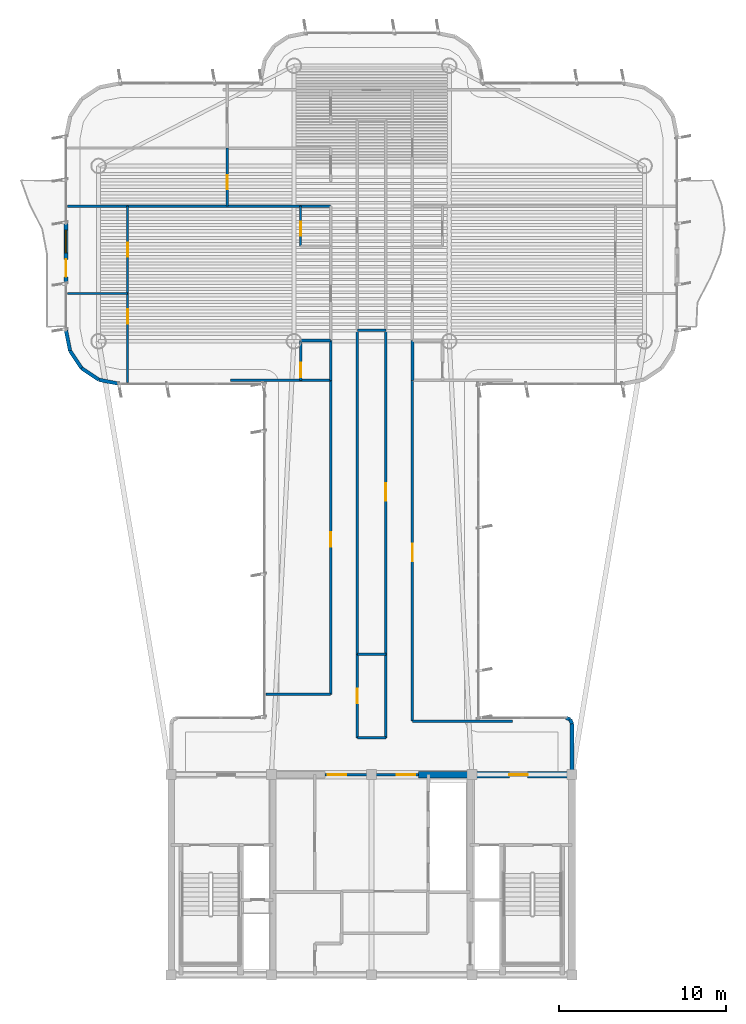
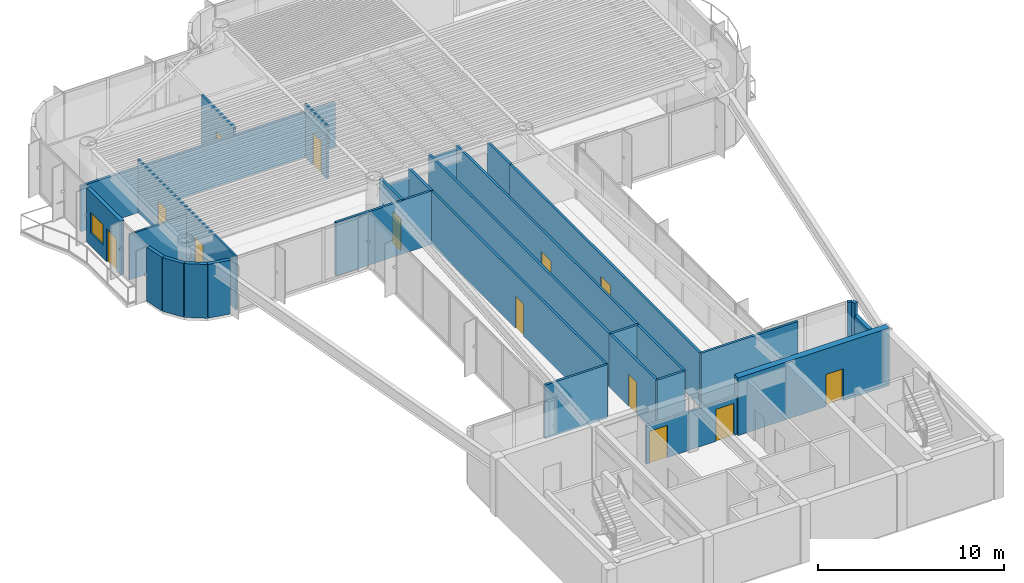
# One storey, part 11 of 15: 32 walls, 13 doors, 1 window, 14 openings.
"""IFC4 building model written with IfcOpenShell, lengths in metres."""

from ifc_helpers import new_model, si_unit, direction, frame, frame_2d, origin, origin_2d, place, context, subcontext, project, spatial, rectangle, extrude, source, transform, mapped, material, layer, layer_set, type_object, element, fill, save


model = new_model("IFC4")

# Units and contexts
model_context = context("Model", 3, precision=1e-05, world=origin(), true_north=direction((0.0, 1.0)))
body_context = subcontext(model_context, "Body", "Model", "MODEL_VIEW")
ifc_project = project(units=[si_unit("LENGTHUNIT", "METRE"), si_unit("AREAUNIT", "SQUARE_METRE"), si_unit("VOLUMEUNIT", "CUBIC_METRE"), si_unit("PLANEANGLEUNIT", "RADIAN"), si_unit("MASSUNIT", "GRAM", prefix="KILO")], contexts=[model_context])

# Site, building, storey
site_placement = place(None, origin())
site = spatial("IfcSite", under=ifc_project, at=site_placement, CompositionType="ELEMENT")
building_placement = place(site_placement, origin())
building = spatial("IfcBuilding", under=site, at=building_placement, Name="Brelvock Crest Care Tower", CompositionType="ELEMENT")
storey_placement = place(building_placement, frame((0.0, 0.0, 275.93994140625)))
storey = spatial("IfcBuildingStorey", under=building, at=storey_placement, Name="L70", CompositionType="ELEMENT", Elevation=275.93994140625)

# Wall, opening, door
ifc_material_1 = material(Name="Concrete S65 (65 MPa)", Category="concrete")
ifc_layer_1 = layer(ifc_material_1, 0.39990234375, Name="WL-CS4")
ifc_layer_set_1 = layer_set([ifc_layer_1], Name="Concrete S65 (65 MPa)")
wall_type_1 = type_object("IfcWallType", Name="WL-CS4", PredefinedType="SHEAR", material=ifc_layer_set_1)
wall_1_placement = place(storey_placement, frame((38.800048828125, 18.0, 0.0), z_axis=(0.0, 0.0, 1.0), x_axis=(1.0, 0.0, 0.0)))
wall_1 = element("IfcWall", 1, at=wall_1_placement, inside=storey, type_object=wall_type_1, Name="L70 Core North-East Shear Wall", PredefinedType="SHEAR", context=body_context, shape_type="SweptSolid", body=[
    extrude(rectangle(XDim=9.39990234375, YDim=0.39990234375, at=frame_2d((4.699951171875, 0.0))), origin(), (0.0, 0.0, 1.0), 3.780029296875),
])
opening_1_placement = place(wall_1_placement, frame((5.449951171875, 0.0, 0.0)))
opening_1 = element("IfcOpeningElement", 2, at=opening_1_placement, cuts=wall_1, Name="Opening FD-1", PredefinedType="OPENING", context=body_context, shape_type="SweptSolid", body=[
    extrude(rectangle(XDim=1.10009765625, YDim=2.10009765625, at=origin_2d()), frame((0.550048828125, 0.2099609375, 1.050048828125), z_axis=(0.0, -1.0, 0.0), x_axis=(1.0, 0.0, 0.0)), (0.0, 0.0, 1.0), 0.419921875),
])
ifc_material_2 = material(Name="Steel Grade 350", Category="steel")
door_type_1 = type_object("IfcDoorType", Name="DR-FFL1", OperationType="NOTDEFINED", PredefinedType="DOOR", material=ifc_material_2)
shared_shape_1 = source(origin(), body_context, "Body", "SweptSolid", [
    extrude(rectangle(XDim=1.10009765625, YDim=2.10009765625, at=origin_2d()), frame((0.550048828125, 0.02490234375, 1.050048828125), z_axis=(0.0, -1.0, 0.0), x_axis=(1.0, 0.0, 0.0)), (0.0, 0.0, 1.0), 0.050048828125),
])
door_1_placement = place(opening_1_placement, origin())
door_1 = element("IfcDoor", 3, at=door_1_placement, inside=storey, type_object=door_type_1, Name="L70 Firefighting Lobby FFL-2 Exit Door", OperationType="SINGLE_SWING_RIGHT", OverallHeight=2.10009765625, OverallWidth=1.10009765625, PredefinedType="DOOR", context=body_context, shape_type="MappedRepresentation", body=[
    mapped(shared_shape_1, transform((0.0, 0.0, 0.0), x_axis=(1.0, 0.0, 0.0), y_axis=(0.0, 1.0, 0.0), z_axis=(0.0, 0.0, 1.0), scale=1.0)),
])
fill(opening_1, door_1)

# Wall, openings, door, window
ifc_material_3 = material(Name="Precast concrete N40 (40 MPa)", Category="concrete")
ifc_layer_2 = layer(ifc_material_3, 0.239990234375, Name="WL-EX1")
ifc_layer_set_2 = layer_set([ifc_layer_2], Name="Precast concrete N40 (40 MPa)")
wall_type_2 = type_object("IfcWallType", Name="WL-EX1", PredefinedType="SOLIDWALL", material=ifc_layer_set_2)
wall_2_placement = place(storey_placement, frame((17.699951171875, 47.39990234375, 0.0), z_axis=(0.0, 0.0, 1.0), x_axis=(0.0, 1.0, 0.0)))
wall_2 = element("IfcWall", 4, at=wall_2_placement, inside=storey, type_object=wall_type_2, Name="L70 Exterior Spandrel Wall WL-BAL-L70-W", PredefinedType="SOLIDWALL", context=body_context, shape_type="SweptSolid", body=[
    extrude(rectangle(XDim=3.60009765625, YDim=0.239990234375, at=frame_2d((1.800048828125, 0.0))), origin(), (0.0, 0.0, 1.0), 3.530029296875),
])
opening_2_placement = place(wall_2_placement, frame((0.39990234375, 0.0, 0.0)))
opening_2 = element("IfcOpeningElement", 5, at=opening_2_placement, cuts=wall_2, Name="Opening BD-1", PredefinedType="OPENING", context=body_context, shape_type="SweptSolid", body=[
    extrude(rectangle(XDim=1.050048828125, YDim=2.14990234375, at=origin_2d()), frame((0.52490234375, 0.1298828125, 1.074951171875), z_axis=(0.0, -1.0, 0.0), x_axis=(1.0, 0.0, 0.0)), (0.0, 0.0, 1.0), 0.260009765625),
])
opening_3_placement = place(wall_2_placement, frame((1.85009765625, 0.0, 0.85009765625)))
opening_3 = element("IfcOpeningElement", 6, at=opening_3_placement, cuts=wall_2, Name="Opening W-01", PredefinedType="OPENING", context=body_context, shape_type="SweptSolid", body=[
    extrude(rectangle(XDim=1.35009765625, YDim=1.35009765625, at=origin_2d()), frame((0.675048828125, 0.1298828125, 0.675048828125), z_axis=(0.0, -1.0, 0.0), x_axis=(1.0, 0.0, 0.0)), (0.0, 0.0, 1.0), 0.260009765625),
])
ifc_material_4 = material(Name="Dark Glass Double Glazed Low-E", Category="glass")
door_type_2 = type_object("IfcDoorType", Name="DR-BAL1", OperationType="NOTDEFINED", PredefinedType="DOOR", material=ifc_material_4)
shared_shape_2 = source(origin(), body_context, "Body", "SweptSolid", [
    extrude(rectangle(XDim=1.050048828125, YDim=2.14990234375, at=origin_2d()), frame((0.52490234375, 0.02490234375, 1.074951171875), z_axis=(0.0, -1.0, 0.0), x_axis=(1.0, 0.0, 0.0)), (0.0, 0.0, 1.0), 0.050048828125),
])
door_2_placement = place(opening_2_placement, origin())
door_2 = element("IfcDoor", 7, at=door_2_placement, inside=storey, type_object=door_type_2, Name="L70 W Wave Balcony Glazed Door", OperationType="SINGLE_SWING_LEFT", OverallHeight=2.14990234375, OverallWidth=1.050048828125, PredefinedType="DOOR", context=body_context, shape_type="MappedRepresentation", body=[
    mapped(shared_shape_2, transform((0.0, 0.0, 0.0), x_axis=(1.0, 0.0, 0.0), y_axis=(0.0, 1.0, 0.0), z_axis=(0.0, 0.0, 1.0), scale=1.0)),
])
fill(opening_2, door_2)
window_type = type_object("IfcWindowType", Name="WN-EX1", PartitioningType="SINGLE_PANEL", PredefinedType="WINDOW", material=ifc_material_4)
shared_shape_3 = source(origin(), body_context, "Body", "SweptSolid", [
    extrude(rectangle(XDim=1.35009765625, YDim=1.35009765625, at=origin_2d()), frame((0.675048828125, 0.030029296875, 0.675048828125), z_axis=(0.0, -1.0, 0.0), x_axis=(1.0, 0.0, 0.0)), (0.0, 0.0, 1.0), 0.06005859375),
])
window_placement = place(opening_3_placement, origin())
window = element("IfcWindow", 8, at=window_placement, inside=storey, type_object=window_type, Name="L70 W Suite Casement Window", OverallHeight=1.35009765625, OverallWidth=1.35009765625, PartitioningType="SINGLE_PANEL", PredefinedType="WINDOW", context=body_context, shape_type="MappedRepresentation", body=[
    mapped(shared_shape_3, transform((0.0, 0.0, 0.0), x_axis=(1.0, 0.0, 0.0), y_axis=(0.0, 1.0, 0.0), z_axis=(0.0, 0.0, 1.0), scale=1.0)),
])
fill(opening_3, window)

# Walls
ifc_layer_3 = layer(ifc_material_3, 0.215087890625, Name="WL-EX2")
ifc_layer_set_3 = layer_set([ifc_layer_3], Name="Precast concrete N40 (40 MPa)")
wall_type_3 = type_object("IfcWallType", Name="WL-EX2", PredefinedType="SOLIDWALL", material=ifc_layer_set_3)
wall_3_placement = place(storey_placement, frame((47.8974609375, 21.297607421875, 0.0), z_axis=(0.0, 0.0, 1.0), x_axis=(0.382673670509, -0.923883575944, 0.0)))
element("IfcWall", 9, at=wall_3_placement, inside=storey, type_object=wall_type_3, Name="L70 Rounded Corner Wall 00", PredefinedType="SOLIDWALL", context=body_context, shape_type="SweptSolid", body=[
    extrude(rectangle(XDim=0.26806640625, YDim=0.215087890625, at=frame_2d((0.134033203125, 0.0))), origin(), (0.0, 0.0, 1.0), 3.530029296875),
])
wall_4_placement = place(storey_placement, frame((48.0, 21.050048828125, 0.0), z_axis=(0.0, 0.0, 1.0), x_axis=(0.0, -1.0, 0.0)))
element("IfcWall", 10, at=wall_4_placement, inside=storey, type_object=wall_type_3, Name="L70 Rounded Corner Wall 01", PredefinedType="SOLIDWALL", context=body_context, shape_type="SweptSolid", body=[
    extrude(rectangle(XDim=2.77001953125, YDim=0.215087890625, at=frame_2d((1.385009765625, 0.0))), origin(), (0.0, 0.0, 1.0), 2.718017578125),
])
for number, where, z_axis, x_axis, name in (
    (11, (20.89990234375, 41.39990234375, 0.0), (0.0, 0.0, 1.0), (-0.980775717779, 0.195138390419, 0.0), "L70 Rounded Corner Wall 13"),
    (12, (19.67529296875, 41.6435546875, 0.0), (0.0, 0.0, 1.0), (-0.831387912822, 0.555692485475, 0.0), "L70 Rounded Corner Wall 14"),
    (13, (18.63720703125, 42.33740234375, 0.0), (0.0, 0.0, 1.0), (-0.555557312883, 0.831478245117, 0.0), "L70 Rounded Corner Wall 15"),
    (14, (17.943603515625, 43.37548828125, 0.0), (0.0, 0.0, 1.0), (-0.195138390419, 0.980775717779, 0.0), "L70 Rounded Corner Wall 16"),
):
    element("IfcWall", number, at=place(storey_placement, frame(where, z_axis=z_axis, x_axis=x_axis)), inside=storey, type_object=wall_type_3, Name=name, PredefinedType="SOLIDWALL", context=body_context, shape_type="SweptSolid", body=[
        extrude(rectangle(XDim=1.24853515625, YDim=0.215087890625, at=frame_2d((0.624267578125, 0.0))), origin(), (0.0, 0.0, 1.0), 3.530029296875),
    ])
wall_5_placement = place(storey_placement, frame((47.64990234375, 21.39990234375, 0.0), z_axis=(0.0, 0.0, 1.0), x_axis=(0.924205486139, -0.381895560841, 0.0)))
element("IfcWall", 15, at=wall_5_placement, inside=storey, type_object=wall_type_3, Name="L70 Rounded Corner Wall 47", PredefinedType="SOLIDWALL", context=body_context, shape_type="SweptSolid", body=[
    extrude(rectangle(XDim=0.267822265625, YDim=0.215087890625, at=frame_2d((0.1337890625, 0.0))), origin(), (0.0, 0.0, 1.0), 3.530029296875),
])

# Wall, openings, doors
ifc_material_5 = material(Name="Masonry Blockwork Acoustic Partition", Category="masonry")
ifc_layer_4 = layer(ifc_material_5, 0.14990234375, Name="WL-INT1")
ifc_layer_set_4 = layer_set([ifc_layer_4], Name="Masonry Blockwork Acoustic Partition")
wall_type_4 = type_object("IfcWallType", Name="WL-INT1", PredefinedType="PARTITIONING", material=ifc_layer_set_4)
wall_6_placement = place(storey_placement, frame((33.199951171875, 18.0, 0.0), z_axis=(0.0, 0.0, 1.0), x_axis=(1.0, 0.0, 0.0)))
wall_6 = element("IfcWall", 16, at=wall_6_placement, inside=storey, type_object=wall_type_4, Name="L70 Interior Wall WL-CORE-NPORT-L70", PredefinedType="PARTITIONING", context=body_context, shape_type="SweptSolid", body=[
    extrude(rectangle(XDim=5.60009765625, YDim=0.14990234375, at=frame_2d((2.800048828125, 0.0))), origin(), (0.0, 0.0, 1.0), 2.51513671875),
])
opening_4_placement = place(wall_6_placement, frame((0.18994140625, 0.0, 0.0)))
opening_4 = element("IfcOpeningElement", 17, at=opening_4_placement, cuts=wall_6, Name="Opening FD-1", PredefinedType="OPENING", context=body_context, shape_type="SweptSolid", body=[
    extrude(rectangle(XDim=1.10009765625, YDim=2.10009765625, at=origin_2d()), frame((0.550048828125, 0.0849609375, 1.050048828125), z_axis=(0.0, -1.0, 0.0), x_axis=(1.0, 0.0, 0.0)), (0.0, 0.0, 1.0), 0.169921875),
])
opening_5_placement = place(wall_6_placement, frame((4.31005859375, 0.0, 0.0)))
opening_5 = element("IfcOpeningElement", 18, at=opening_5_placement, cuts=wall_6, Name="Opening FD-1", PredefinedType="OPENING", context=body_context, shape_type="SweptSolid", body=[
    extrude(rectangle(XDim=1.10009765625, YDim=2.10009765625, at=origin_2d()), frame((0.550048828125, 0.0849609375, 1.050048828125), z_axis=(0.0, -1.0, 0.0), x_axis=(1.0, 0.0, 0.0)), (0.0, 0.0, 1.0), 0.169921875),
])
door_3_placement = place(opening_4_placement, origin())
door_3 = element("IfcDoor", 19, at=door_3_placement, inside=storey, type_object=door_type_1, Name="L70 Lift Lobby North Smoke Door West", OperationType="SINGLE_SWING_LEFT", OverallHeight=2.10009765625, OverallWidth=1.10009765625, PredefinedType="DOOR", context=body_context, shape_type="MappedRepresentation", body=[
    mapped(shared_shape_1, transform((0.0, 0.0, 0.0), x_axis=(1.0, 0.0, 0.0), y_axis=(0.0, 1.0, 0.0), z_axis=(0.0, 0.0, 1.0), scale=1.0)),
])
fill(opening_4, door_3)
door_4_placement = place(opening_5_placement, origin())
door_4 = element("IfcDoor", 20, at=door_4_placement, inside=storey, type_object=door_type_1, Name="L70 Lift Lobby North Smoke Door East", OperationType="SINGLE_SWING_RIGHT", OverallHeight=2.10009765625, OverallWidth=1.10009765625, PredefinedType="DOOR", context=body_context, shape_type="MappedRepresentation", body=[
    mapped(shared_shape_1, transform((0.0, 0.0, 0.0), x_axis=(1.0, 0.0, 0.0), y_axis=(0.0, 1.0, 0.0), z_axis=(0.0, 0.0, 1.0), scale=1.0)),
])
fill(opening_5, door_4)

# Walls
wall_7_placement = place(storey_placement, frame((38.449951171875, 21.199951171875, 0.0), z_axis=(0.0, 0.0, 1.0), x_axis=(1.0, 0.0, 0.0)))
element("IfcWall", 21, at=wall_7_placement, inside=storey, type_object=wall_type_4, Name="L70 Interior Wall WL-BX-L70-THRE-S", PredefinedType="PARTITIONING", context=body_context, shape_type="SweptSolid", body=[
    extrude(rectangle(XDim=5.9931640625, YDim=0.14990234375, at=frame_2d((2.99658203125, 0.0))), origin(), (0.0, 0.0, 1.0), 3.5),
])
wall_8_placement = place(storey_placement, frame((29.678466796875, 22.800048828125, 0.0), z_axis=(0.0, 0.0, 1.0), x_axis=(1.0, 0.0, 0.0)))
element("IfcWall", 22, at=wall_8_placement, inside=storey, type_object=wall_type_4, Name="L70 Interior Wall WL-BX-L70-THRW-S", PredefinedType="PARTITIONING", context=body_context, shape_type="SweptSolid", body=[
    extrude(rectangle(XDim=3.87158203125, YDim=0.14990234375, at=frame_2d((1.935791015625, 0.0))), origin(), (0.0, 0.0, 1.0), 3.5),
])
wall_9_placement = place(storey_placement, frame((27.557861328125, 41.60009765625, 0.0), z_axis=(0.0, 0.0, 1.0), x_axis=(1.0, 0.0, 0.0)))
element("IfcWall", 23, at=wall_9_placement, inside=storey, type_object=wall_type_4, Name="L70 Interior Wall WL-BX-L70-FL-WF1-S2", PredefinedType="PARTITIONING", context=body_context, shape_type="SweptSolid", body=[
    extrude(rectangle(XDim=5.9921875, YDim=0.14990234375, at=frame_2d((2.99609375, 0.0))), origin(), (0.0, 0.0, 1.0), 3.5),
])
wall_10_placement = place(storey_placement, frame((35.14990234375, 44.6201171875, 0.0), z_axis=(0.0, 0.0, 1.0), x_axis=(1.0, 0.0, 0.0)))
element("IfcWall", 24, at=wall_10_placement, inside=storey, type_object=wall_type_4, Name="L70 Interior Wall WL-BX-L70-ISKT-S", PredefinedType="PARTITIONING", context=body_context, shape_type="SweptSolid", body=[
    extrude(rectangle(XDim=1.7001953125, YDim=0.14990234375, at=frame_2d((0.85009765625, 0.0))), origin(), (0.0, 0.0, 1.0), 3.259033203125),
])
wall_11_placement = place(storey_placement, frame((17.780029296875, 52.0400390625, 0.0), z_axis=(0.0, 0.0, 1.0), x_axis=(1.0, 0.0, 0.0)))
element("IfcWall", 25, at=wall_11_placement, inside=storey, type_object=wall_type_4, Name="L70 Interior Wall WL-BX-L70-FL-WF1-N", PredefinedType="PARTITIONING", context=body_context, shape_type="SweptSolid", body=[
    extrude(rectangle(XDim=15.77001953125, YDim=0.14990234375, at=frame_2d((7.885009765625, 0.0))), origin(), (0.0, 0.0, 1.0), 2.982177734375),
])

# Wall, opening, door
wall_12_placement = place(storey_placement, frame((27.35009765625, 52.0400390625, 0.0), z_axis=(0.0, 0.0, 1.0), x_axis=(0.0, 1.0, 0.0)))
wall_12 = element("IfcWall", 26, at=wall_12_placement, inside=storey, type_object=wall_type_4, Name="L70 Interior Wall WL-RM-L70-WFC2AS", PredefinedType="PARTITIONING", context=body_context, shape_type="SweptSolid", body=[
    extrude(rectangle(XDim=3.47998046875, YDim=0.14990234375, at=frame_2d((1.739990234375, 0.0))), origin(), (0.0, 0.0, 1.0), 3.5),
])
opening_6_placement = place(wall_12_placement, frame((1.0, 0.0, 0.0)))
opening_6 = element("IfcOpeningElement", 27, at=opening_6_placement, cuts=wall_12, Name="Opening ID-1", PredefinedType="OPENING", context=body_context, shape_type="SweptSolid", body=[
    extrude(rectangle(XDim=0.860107421875, YDim=2.10009765625, at=origin_2d()), frame((0.43017578125, 0.0849609375, 1.050048828125), z_axis=(0.0, -1.0, 0.0), x_axis=(1.0, 0.0, 0.0)), (0.0, 0.0, 1.0), 0.169921875),
])
ifc_material_6 = material(Name="Engineered Hardwood Timber", Category="wood")
door_type_3 = type_object("IfcDoorType", Name="DR-INT1", OperationType="NOTDEFINED", PredefinedType="DOOR", material=ifc_material_6)
shared_shape_4 = source(origin(), body_context, "Body", "SweptSolid", [
    extrude(rectangle(XDim=0.860107421875, YDim=2.10009765625, at=origin_2d()), frame((0.43017578125, 0.02490234375, 1.050048828125), z_axis=(0.0, -1.0, 0.0), x_axis=(1.0, 0.0, 0.0)), (0.0, 0.0, 1.0), 0.050048828125),
])
door_5_placement = place(opening_6_placement, origin())
door_5 = element("IfcDoor", 28, at=door_5_placement, inside=storey, type_object=door_type_3, Name="L70 Assisted Care Mobility Store Door WFC2AS", OperationType="SINGLE_SWING_LEFT", OverallHeight=2.10009765625, OverallWidth=0.860107421875, PredefinedType="DOOR", context=body_context, shape_type="MappedRepresentation", body=[
    mapped(shared_shape_4, transform((0.0, 0.0, 0.0), x_axis=(1.0, 0.0, 0.0), y_axis=(0.0, 1.0, 0.0), z_axis=(0.0, 0.0, 1.0), scale=1.0)),
])
fill(opening_6, door_5)

wall_13_placement = place(storey_placement, frame((33.550048828125, 22.800048828125, 0.0), z_axis=(0.0, 0.0, 1.0), x_axis=(0.0, 1.0, 0.0)))
wall_13 = element("IfcWall", 29, at=wall_13_placement, inside=storey, type_object=wall_type_4, Name="L70 Interior Wall WL-RM-L70-THRW", PredefinedType="PARTITIONING", context=body_context, shape_type="SweptSolid", body=[
    extrude(rectangle(XDim=18.800048828125, YDim=0.14990234375, at=frame_2d((9.39990234375, 0.0))), origin(), (0.0, 0.0, 1.0), 3.5),
])
opening_7_placement = place(wall_13_placement, frame((8.840087890625, 0.0, 0.0)))
opening_7 = element("IfcOpeningElement", 30, at=opening_7_placement, cuts=wall_13, Name="Opening ID-1", PredefinedType="OPENING", context=body_context, shape_type="SweptSolid", body=[
    extrude(rectangle(XDim=0.860107421875, YDim=2.10009765625, at=origin_2d()), frame((0.43017578125, 0.0849609375, 1.050048828125), z_axis=(0.0, -1.0, 0.0), x_axis=(1.0, 0.0, 0.0)), (0.0, 0.0, 1.0), 0.169921875),
])
door_6_placement = place(opening_7_placement, origin())
door_6 = element("IfcDoor", 31, at=door_6_placement, inside=storey, type_object=door_type_3, Name="L70 Quiet Family Consultation Room Door THRW", OperationType="SINGLE_SWING_LEFT", OverallHeight=2.10009765625, OverallWidth=0.860107421875, PredefinedType="DOOR", context=body_context, shape_type="MappedRepresentation", body=[
    mapped(shared_shape_4, transform((0.0, 0.0, 0.0), x_axis=(1.0, 0.0, 0.0), y_axis=(0.0, 1.0, 0.0), z_axis=(0.0, 0.0, 1.0), scale=1.0)),
])
fill(opening_7, door_6)

# Wall
wall_14_placement = place(storey_placement, frame((35.14990234375, 25.199951171875, 0.0), z_axis=(0.0, 0.0, 1.0), x_axis=(0.0, 1.0, 0.0)))
element("IfcWall", 32, at=wall_14_placement, inside=storey, type_object=wall_type_4, Name="L70 Interior Wall WL-BX-L70-ISNS-W", PredefinedType="PARTITIONING", context=body_context, shape_type="SweptSolid", body=[
    extrude(rectangle(XDim=19.420166015625, YDim=0.14990234375, at=frame_2d((9.7099609375, 0.0))), origin(), (0.0, 0.0, 1.0), 3.5),
])

# Wall, opening, door
wall_15_placement = place(storey_placement, frame((36.85009765625, 25.199951171875, 0.0), z_axis=(0.0, 0.0, 1.0), x_axis=(0.0, 1.0, 0.0)))
wall_15 = element("IfcWall", 33, at=wall_15_placement, inside=storey, type_object=wall_type_4, Name="L70 Interior Wall WL-RM-L70-ISNS", PredefinedType="PARTITIONING", context=body_context, shape_type="SweptSolid", body=[
    extrude(rectangle(XDim=19.420166015625, YDim=0.14990234375, at=frame_2d((9.7099609375, 0.0))), origin(), (0.0, 0.0, 1.0), 3.5),
])
opening_8_placement = place(wall_15_placement, frame((9.18505859375, 0.0, 0.0)))
opening_8 = element("IfcOpeningElement", 34, at=opening_8_placement, cuts=wall_15, Name="Opening CLD-1", PredefinedType="OPENING", context=body_context, shape_type="SweptSolid", body=[
    extrude(rectangle(XDim=1.050048828125, YDim=2.10009765625, at=origin_2d()), frame((0.52490234375, 0.0849609375, 1.050048828125), z_axis=(0.0, -1.0, 0.0), x_axis=(1.0, 0.0, 0.0)), (0.0, 0.0, 1.0), 0.169921875),
])
door_type_4 = type_object("IfcDoorType", Name="DR-CLN1", OperationType="NOTDEFINED", PredefinedType="DOOR", material=ifc_material_6)
shared_shape_5 = source(origin(), body_context, "Body", "SweptSolid", [
    extrude(rectangle(XDim=1.050048828125, YDim=2.10009765625, at=origin_2d()), frame((0.52490234375, 0.02490234375, 1.050048828125), z_axis=(0.0, -1.0, 0.0), x_axis=(1.0, 0.0, 0.0)), (0.0, 0.0, 1.0), 0.050048828125),
])
door_7_placement = place(opening_8_placement, origin())
door_7 = element("IfcDoor", 35, at=door_7_placement, inside=storey, type_object=door_type_4, Name="L70 Care Concierge and Triage Station Door ISNS", OperationType="SINGLE_SWING_LEFT", OverallHeight=2.10009765625, OverallWidth=1.050048828125, PredefinedType="DOOR", context=body_context, shape_type="MappedRepresentation", body=[
    mapped(shared_shape_5, transform((0.0, 0.0, 0.0), x_axis=(1.0, 0.0, 0.0), y_axis=(0.0, 1.0, 0.0), z_axis=(0.0, 0.0, 1.0), scale=1.0)),
])
fill(opening_8, door_7)

wall_16_placement = place(storey_placement, frame((38.449951171875, 21.199951171875, 0.0), z_axis=(0.0, 0.0, 1.0), x_axis=(0.0, 1.0, 0.0)))
wall_16 = element("IfcWall", 36, at=wall_16_placement, inside=storey, type_object=wall_type_4, Name="L70 Interior Wall WL-RM-L70-THRE", PredefinedType="PARTITIONING", context=body_context, shape_type="SweptSolid", body=[
    extrude(rectangle(XDim=20.400146484375, YDim=0.14990234375, at=frame_2d((10.2001953125, 0.0))), origin(), (0.0, 0.0, 1.0), 3.5),
])
opening_9_placement = place(wall_16_placement, frame((9.574951171875, 0.0, 0.0)))
opening_9 = element("IfcOpeningElement", 37, at=opening_9_placement, cuts=wall_16, Name="Opening CLD-1", PredefinedType="OPENING", context=body_context, shape_type="SweptSolid", body=[
    extrude(rectangle(XDim=1.050048828125, YDim=2.10009765625, at=origin_2d()), frame((0.52490234375, 0.0849609375, 1.050048828125), z_axis=(0.0, -1.0, 0.0), x_axis=(1.0, 0.0, 0.0)), (0.0, 0.0, 1.0), 0.169921875),
])
door_8_placement = place(opening_9_placement, origin())
door_8 = element("IfcDoor", 38, at=door_8_placement, inside=storey, type_object=door_type_4, Name="L70 Allied Health Therapy Room Door THRE", OperationType="SINGLE_SWING_LEFT", OverallHeight=2.10009765625, OverallWidth=1.050048828125, PredefinedType="DOOR", context=body_context, shape_type="MappedRepresentation", body=[
    mapped(shared_shape_5, transform((0.0, 0.0, 0.0), x_axis=(1.0, 0.0, 0.0), y_axis=(0.0, 1.0, 0.0), z_axis=(0.0, 0.0, 1.0), scale=1.0)),
])
fill(opening_9, door_8)

# Wall
ifc_material_7 = material(Name="Gypsum Plasterboard Partition", Category="gypsum")
ifc_layer_5 = layer(ifc_material_7, 0.1201171875, Name="WL-INT2")
ifc_layer_set_5 = layer_set([ifc_layer_5], Name="Gypsum Plasterboard Partition")
wall_type_5 = type_object("IfcWallType", Name="WL-INT2", PredefinedType="PARTITIONING", material=ifc_layer_set_5)
wall_17_placement = place(storey_placement, frame((17.780029296875, 46.820068359375, 0.0), z_axis=(0.0, 0.0, 1.0), x_axis=(1.0, 0.0, 0.0)))
element("IfcWall", 39, at=wall_17_placement, inside=storey, type_object=wall_type_5, Name="L70 Interior Wall WL-UBSP-L70-WF1", PredefinedType="PARTITIONING", context=body_context, shape_type="SweptSolid", body=[
    extrude(rectangle(XDim=3.60986328125, YDim=0.1201171875, at=frame_2d((1.804931640625, 0.0))), origin(), (0.0, 0.0, 1.0), 2.982177734375),
])

# Wall, opening, door
wall_18_placement = place(storey_placement, frame((21.389892578125, 41.47998046875, 0.0), z_axis=(0.0, 0.0, 1.0), x_axis=(0.0, 1.0, 0.0)))
wall_18 = element("IfcWall", 40, at=wall_18_placement, inside=storey, type_object=wall_type_5, Name="L70 Interior Wall WL-UBD1-L70-WF1", PredefinedType="PARTITIONING", context=body_context, shape_type="SweptSolid", body=[
    extrude(rectangle(XDim=5.340087890625, YDim=0.1201171875, at=frame_2d((2.669921875, 0.0))), origin(), (0.0, 0.0, 1.0), 3.5),
])
opening_10_placement = place(wall_18_placement, frame((3.52001953125, 0.0, 0.0)))
opening_10 = element("IfcOpeningElement", 41, at=opening_10_placement, cuts=wall_18, Name="Opening ID-1", PredefinedType="OPENING", context=body_context, shape_type="SweptSolid", body=[
    extrude(rectangle(XDim=0.860107421875, YDim=2.10009765625, at=origin_2d()), frame((0.43017578125, 0.070068359375, 1.050048828125), z_axis=(0.0, -1.0, 0.0), x_axis=(1.0, 0.0, 0.0)), (0.0, 0.0, 1.0), 0.14013671875),
])
door_9_placement = place(opening_10_placement, origin())
door_9 = element("IfcDoor", 42, at=door_9_placement, inside=storey, type_object=door_type_3, Name="L70 Primary Bedroom Door WF1", OperationType="SINGLE_SWING_RIGHT", OverallHeight=2.10009765625, OverallWidth=0.860107421875, PredefinedType="DOOR", context=body_context, shape_type="MappedRepresentation", body=[
    mapped(shared_shape_4, transform((0.0, 0.0, 0.0), x_axis=(1.0, 0.0, 0.0), y_axis=(0.0, 1.0, 0.0), z_axis=(0.0, 0.0, 1.0), scale=1.0)),
])
fill(opening_10, door_9)

wall_19_placement = place(storey_placement, frame((21.389892578125, 46.820068359375, 0.0), z_axis=(0.0, 0.0, 1.0), x_axis=(0.0, 1.0, 0.0)))
wall_19 = element("IfcWall", 43, at=wall_19_placement, inside=storey, type_object=wall_type_5, Name="L70 Interior Wall WL-UBD2-L70-WF1", PredefinedType="PARTITIONING", context=body_context, shape_type="SweptSolid", body=[
    extrude(rectangle(XDim=5.219970703125, YDim=0.1201171875, at=frame_2d((2.60986328125, 0.0))), origin(), (0.0, 0.0, 1.0), 3.5),
])
opening_11_placement = place(wall_19_placement, frame((2.179931640625, 0.0, 0.0)))
opening_11 = element("IfcOpeningElement", 44, at=opening_11_placement, cuts=wall_19, Name="Opening ID-1", PredefinedType="OPENING", context=body_context, shape_type="SweptSolid", body=[
    extrude(rectangle(XDim=0.860107421875, YDim=2.10009765625, at=origin_2d()), frame((0.43017578125, 0.070068359375, 1.050048828125), z_axis=(0.0, -1.0, 0.0), x_axis=(1.0, 0.0, 0.0)), (0.0, 0.0, 1.0), 0.14013671875),
])
door_10_placement = place(opening_11_placement, origin())
door_10 = element("IfcDoor", 45, at=door_10_placement, inside=storey, type_object=door_type_3, Name="L70 Second Room Door WF1", OperationType="SINGLE_SWING_LEFT", OverallHeight=2.10009765625, OverallWidth=0.860107421875, PredefinedType="DOOR", context=body_context, shape_type="MappedRepresentation", body=[
    mapped(shared_shape_4, transform((0.0, 0.0, 0.0), x_axis=(1.0, 0.0, 0.0), y_axis=(0.0, 1.0, 0.0), z_axis=(0.0, 0.0, 1.0), scale=1.0)),
])
fill(opening_11, door_10)

wall_20_placement = place(storey_placement, frame((31.75, 49.639892578125, 0.0), z_axis=(0.0, 0.0, 1.0), x_axis=(0.0, 1.0, 0.0)))
wall_20 = element("IfcWall", 46, at=wall_20_placement, inside=storey, type_object=wall_type_5, Name="L70 Interior Wall WL-UKIT1-L70-WF1", PredefinedType="PARTITIONING", context=body_context, shape_type="SweptSolid", body=[
    extrude(rectangle(XDim=2.400146484375, YDim=0.1201171875, at=frame_2d((1.2001953125, 0.0))), origin(), (0.0, 0.0, 1.0), 3.5),
])
opening_12_placement = place(wall_20_placement, frame((0.6201171875, 0.0, 0.0)))
opening_12 = element("IfcOpeningElement", 47, at=opening_12_placement, cuts=wall_20, Name="Opening ID-1", PredefinedType="OPENING", context=body_context, shape_type="SweptSolid", body=[
    extrude(rectangle(XDim=0.860107421875, YDim=2.10009765625, at=origin_2d()), frame((0.43017578125, 0.070068359375, 1.050048828125), z_axis=(0.0, -1.0, 0.0), x_axis=(1.0, 0.0, 0.0)), (0.0, 0.0, 1.0), 0.14013671875),
])
door_11_placement = place(opening_12_placement, origin())
door_11 = element("IfcDoor", 48, at=door_11_placement, inside=storey, type_object=door_type_3, Name="L70 Kitchen Door WF1", OperationType="SINGLE_SWING_LEFT", OverallHeight=2.10009765625, OverallWidth=0.860107421875, PredefinedType="DOOR", context=body_context, shape_type="MappedRepresentation", body=[
    mapped(shared_shape_4, transform((0.0, 0.0, 0.0), x_axis=(1.0, 0.0, 0.0), y_axis=(0.0, 1.0, 0.0), z_axis=(0.0, 0.0, 1.0), scale=1.0)),
])
fill(opening_12, door_11)

# Walls
ifc_layer_6 = layer(ifc_material_7, 0.159912109375, Name="WL-PLM1")
ifc_layer_set_6 = layer_set([ifc_layer_6], Name="Gypsum Plasterboard Partition")
wall_type_6 = type_object("IfcWallType", Name="WL-PLM1", PredefinedType="PLUMBINGWALL", material=ifc_layer_set_6)
for number, where, z_axis, x_axis, name in (
    (49, (35.14990234375, 20.199951171875, 0.0), (0.0, 0.0, 1.0), (1.0, 0.0, 0.0), "L70 Interior Wall WL-BX-L70-ISWC-S"),
    (50, (35.14990234375, 25.199951171875, 0.0), (0.0, 0.0, 1.0), (1.0, 0.0, 0.0), "L70 Interior Wall WL-BX-L70-ISNS-S"),
):
    element("IfcWall", number, at=place(storey_placement, frame(where, z_axis=z_axis, x_axis=x_axis)), inside=storey, type_object=wall_type_6, Name=name, PredefinedType="PLUMBINGWALL", context=body_context, shape_type="SweptSolid", body=[
        extrude(rectangle(XDim=1.7001953125, YDim=0.159912109375, at=frame_2d((0.85009765625, 0.0))), origin(), (0.0, 0.0, 1.0), 3.5),
    ])
wall_21_placement = place(storey_placement, frame((31.75, 44.0, 0.0), z_axis=(0.0, 0.0, 1.0), x_axis=(1.0, 0.0, 0.0)))
element("IfcWall", 51, at=wall_21_placement, inside=storey, type_object=wall_type_6, Name="L70 Interior Wall WL-UBTH2-L70-WF1", PredefinedType="PLUMBINGWALL", context=body_context, shape_type="SweptSolid", body=[
    extrude(rectangle(XDim=1.800048828125, YDim=0.159912109375, at=frame_2d((0.89990234375, 0.0))), origin(), (0.0, 0.0, 1.0), 2.903076171875),
])

# Wall, opening, door
wall_22_placement = place(storey_placement, frame((31.75, 41.60009765625, 0.0), z_axis=(0.0, 0.0, 1.0), x_axis=(0.0, 1.0, 0.0)))
wall_22 = element("IfcWall", 52, at=wall_22_placement, inside=storey, type_object=wall_type_6, Name="L70 Interior Wall WL-UBTH1-L70-WF1", PredefinedType="PLUMBINGWALL", context=body_context, shape_type="SweptSolid", body=[
    extrude(rectangle(XDim=2.39990234375, YDim=0.159912109375, at=frame_2d((1.199951171875, 0.0))), origin(), (0.0, 0.0, 1.0), 3.5),
])
opening_13_placement = place(wall_22_placement, frame((0.199951171875, 0.0, 0.0)))
opening_13 = element("IfcOpeningElement", 53, at=opening_13_placement, cuts=wall_22, Name="Opening WD-1", PredefinedType="OPENING", context=body_context, shape_type="SweptSolid", body=[
    extrude(rectangle(XDim=0.860107421875, YDim=2.10009765625, at=origin_2d()), frame((0.43017578125, 0.08984375, 1.050048828125), z_axis=(0.0, -1.0, 0.0), x_axis=(1.0, 0.0, 0.0)), (0.0, 0.0, 1.0), 0.179931640625),
])
door_type_5 = type_object("IfcDoorType", Name="DR-WC1", OperationType="NOTDEFINED", PredefinedType="DOOR", material=ifc_material_6)
shared_shape_6 = source(origin(), body_context, "Body", "SweptSolid", [
    extrude(rectangle(XDim=0.860107421875, YDim=2.10009765625, at=origin_2d()), frame((0.43017578125, 0.02490234375, 1.050048828125), z_axis=(0.0, -1.0, 0.0), x_axis=(1.0, 0.0, 0.0)), (0.0, 0.0, 1.0), 0.050048828125),
])
door_12_placement = place(opening_13_placement, origin())
door_12 = element("IfcDoor", 54, at=door_12_placement, inside=storey, type_object=door_type_5, Name="L70 Bathroom Door WF1", OperationType="SINGLE_SWING_LEFT", OverallHeight=2.10009765625, OverallWidth=0.860107421875, PredefinedType="DOOR", context=body_context, shape_type="MappedRepresentation", body=[
    mapped(shared_shape_6, transform((0.0, 0.0, 0.0), x_axis=(1.0, 0.0, 0.0), y_axis=(0.0, 1.0, 0.0), z_axis=(0.0, 0.0, 1.0), scale=1.0)),
])
fill(opening_13, door_12)

# Wall
wall_23_placement = place(storey_placement, frame((33.550048828125, 41.60009765625, 0.0), z_axis=(0.0, 0.0, 1.0), x_axis=(0.0, 1.0, 0.0)))
element("IfcWall", 55, at=wall_23_placement, inside=storey, type_object=wall_type_6, Name="L70 Interior Wall WL-UCB-L70-WF1", PredefinedType="PLUMBINGWALL", context=body_context, shape_type="SweptSolid", body=[
    extrude(rectangle(XDim=2.39990234375, YDim=0.159912109375, at=frame_2d((1.199951171875, 0.0))), origin(), (0.0, 0.0, 1.0), 3.5),
])

# Wall, opening, door
wall_24_placement = place(storey_placement, frame((35.14990234375, 20.199951171875, 0.0), z_axis=(0.0, 0.0, 1.0), x_axis=(0.0, 1.0, 0.0)))
wall_24 = element("IfcWall", 56, at=wall_24_placement, inside=storey, type_object=wall_type_6, Name="L70 Interior Wall WL-RM-L70-ISWC", PredefinedType="PLUMBINGWALL", context=body_context, shape_type="SweptSolid", body=[
    extrude(rectangle(XDim=5.0, YDim=0.159912109375, at=frame_2d((2.5, 0.0))), origin(), (0.0, 0.0, 1.0), 3.5),
])
opening_14_placement = place(wall_24_placement, frame((2.070068359375, 0.0, 0.0)))
opening_14 = element("IfcOpeningElement", 57, at=opening_14_placement, cuts=wall_24, Name="Opening WD-1", PredefinedType="OPENING", context=body_context, shape_type="SweptSolid", body=[
    extrude(rectangle(XDim=0.860107421875, YDim=2.10009765625, at=origin_2d()), frame((0.43017578125, 0.08984375, 1.050048828125), z_axis=(0.0, -1.0, 0.0), x_axis=(1.0, 0.0, 0.0)), (0.0, 0.0, 1.0), 0.179931640625),
])
door_13_placement = place(opening_14_placement, origin())
door_13 = element("IfcDoor", 58, at=door_13_placement, inside=storey, type_object=door_type_5, Name="L70 High-Zone Accessible WC Door ISWC", OperationType="SINGLE_SWING_LEFT", OverallHeight=2.10009765625, OverallWidth=0.860107421875, PredefinedType="DOOR", context=body_context, shape_type="MappedRepresentation", body=[
    mapped(shared_shape_6, transform((0.0, 0.0, 0.0), x_axis=(1.0, 0.0, 0.0), y_axis=(0.0, 1.0, 0.0), z_axis=(0.0, 0.0, 1.0), scale=1.0)),
])
fill(opening_14, door_13)

# Walls
wall_25_placement = place(storey_placement, frame((36.85009765625, 20.199951171875, 0.0), z_axis=(0.0, 0.0, 1.0), x_axis=(0.0, 1.0, 0.0)))
element("IfcWall", 59, at=wall_25_placement, inside=storey, type_object=wall_type_6, Name="L70 Interior Wall WL-BX-L70-ISWC-E", PredefinedType="PLUMBINGWALL", context=body_context, shape_type="SweptSolid", body=[
    extrude(rectangle(XDim=5.0, YDim=0.159912109375, at=frame_2d((2.5, 0.0))), origin(), (0.0, 0.0, 1.0), 3.5),
])
wall_26_placement = place(storey_placement, frame((38.449951171875, 41.60009765625, 0.0), z_axis=(0.0, 0.0, 1.0), x_axis=(0.0, 1.0, 0.0)))
element("IfcWall", 60, at=wall_26_placement, inside=storey, type_object=wall_type_6, Name="L70 Interior Wall WL-UCB-L70-EF1", PredefinedType="PLUMBINGWALL", context=body_context, shape_type="SweptSolid", body=[
    extrude(rectangle(XDim=2.39990234375, YDim=0.159912109375, at=frame_2d((1.199951171875, 0.0))), origin(), (0.0, 0.0, 1.0), 3.5),
])

save(model, "model.ifc")
